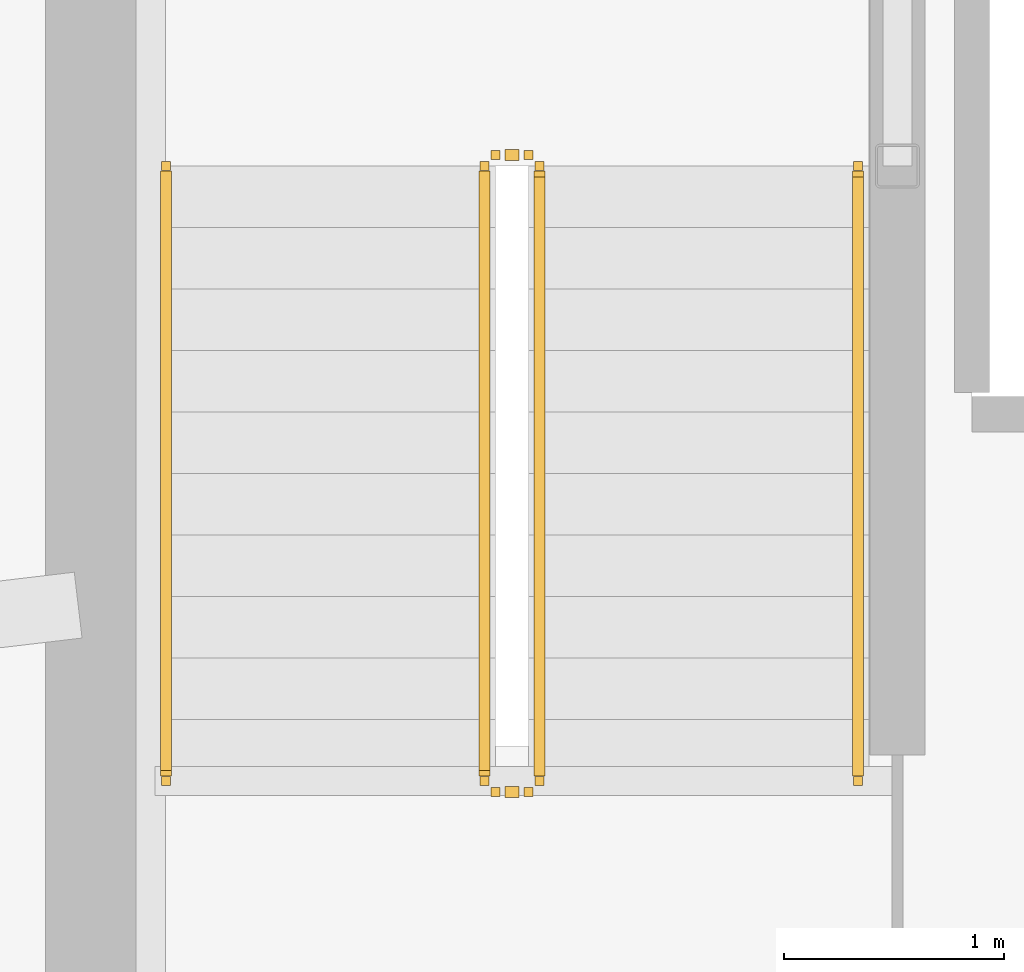
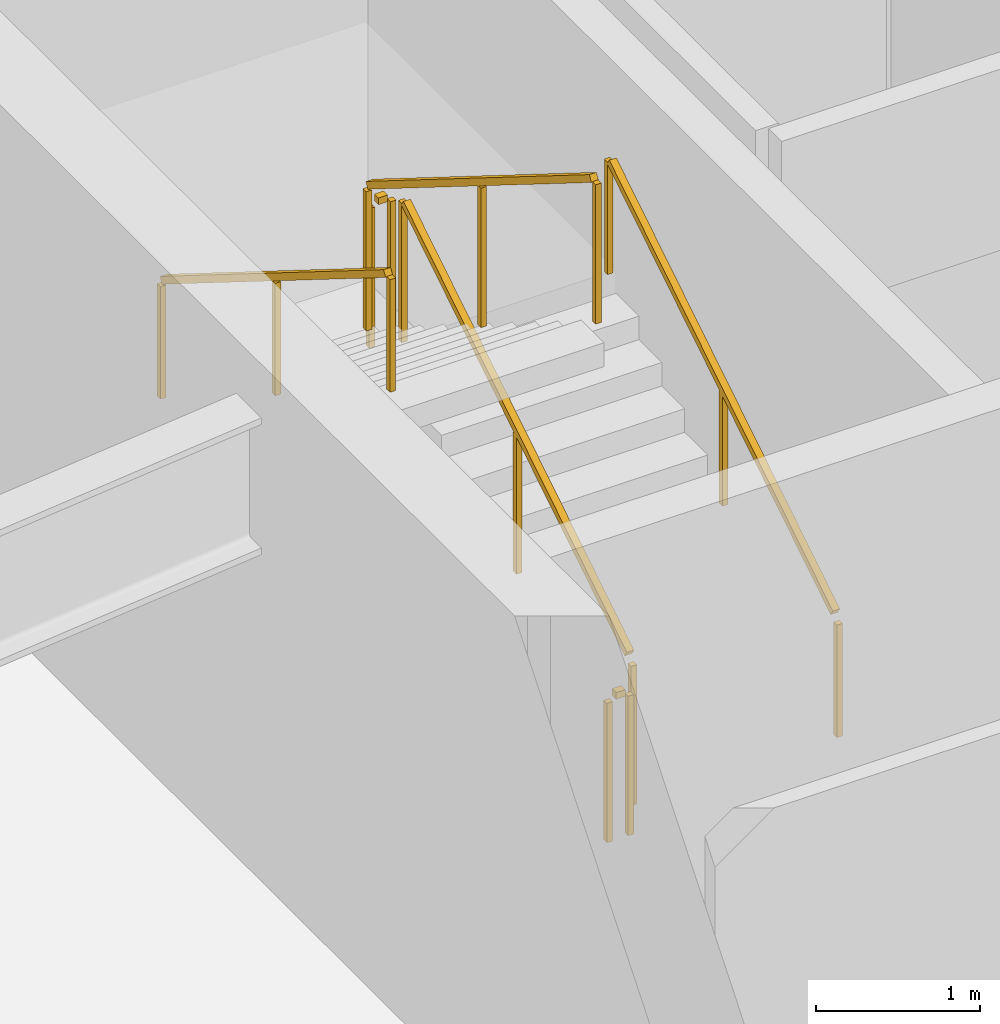
# One storey, part 21 of 24: 6 railings.
"""IFC4 building model written with IfcOpenShell, lengths in metres."""

import ifcopenshell
import ifcopenshell.guid

model = None  # the IFC model being written
_history = None  # IfcOwnerHistory: only IFC2X3 demands one
_inside = {}  # id of a spatial element -> (the spatial element, [elements in it])
_under = {}  # id of a project, library or spatial element -> (it, [spatial elements below it])
_declared = {}  # id of a project -> (the project, [libraries it declares])
_typed = {}  # id of a type object -> (the type object, [elements of that type])
_made_of = {}  # id of a material, layer set ... -> (it, [elements and type objects made of it])


def new_model(schema):
    """Start an empty IFC model of exactly this schema.

    Asked for "IFC4X3", IfcOpenShell would pick the latest addendum, in which some entities
    have other attributes; the version numbers below select the first issue.
    IFC2X3 requires an IfcOwnerHistory on every rooted entity: one is made here for all.
    """
    global model, _history
    if schema == "IFC4X3":
        model = ifcopenshell.file(schema_version=(4, 3, 0, 0))
    else:
        model = ifcopenshell.file(schema=schema)
    _inside.clear()
    _under.clear()
    _declared.clear()
    _typed.clear()
    _made_of.clear()
    _history = None
    if model.schema == "IFC2X3":
        org = make("IfcOrganization", Name="unknown")
        user = make(
            "IfcPersonAndOrganization",
            ThePerson=make("IfcPerson", FamilyName="unknown"),
            TheOrganization=org,
        )
        app = make(
            "IfcApplication",
            ApplicationDeveloper=org,
            Version="unknown",
            ApplicationFullName="unknown",
            ApplicationIdentifier="unknown",
        )
        _history = make(
            "IfcOwnerHistory",
            OwningUser=user,
            OwningApplication=app,
            ChangeAction="ADDED",
            CreationDate=0,
        )
    return model


def make(cls, **values):
    """One entity of the class cls with the attributes given. An attribute that is None is left unset."""
    return model.create_entity(
        cls, **{name: value for name, value in values.items() if value is not None}
    )


def rooted(cls, **values):
    """An entity with a GlobalId (a new one), such as an element, a storey or a relation."""
    return make(cls, GlobalId=ifcopenshell.guid.new(), OwnerHistory=_history, **values)


def si_unit(unit_type, name, prefix=None):
    """IfcSIUnit, for example si_unit("LENGTHUNIT", "METRE", prefix="MILLI")."""
    return make("IfcSIUnit", UnitType=unit_type, Prefix=prefix, Name=name)


def assignment(units):
    """IfcUnitAssignment: the units of a project."""
    return None if units is None else make("IfcUnitAssignment", Units=units)


def point(xyz):
    """IfcCartesianPoint."""
    return None if xyz is None else make("IfcCartesianPoint", Coordinates=xyz)


def direction(xyz):
    """IfcDirection."""
    return None if xyz is None else make("IfcDirection", DirectionRatios=xyz)


def frame(location, z_axis=None, x_axis=None):
    """IfcAxis2Placement3D, a coordinate frame: its origin and axes. An axis left out is left unset."""
    return make(
        "IfcAxis2Placement3D",
        Location=point(location),
        Axis=direction(z_axis),
        RefDirection=direction(x_axis),
    )


def frame_2d(location, x_axis=None):
    """IfcAxis2Placement2D, a coordinate frame in the plane: its origin and x axis."""
    return make(
        "IfcAxis2Placement2D", Location=point(location), RefDirection=direction(x_axis)
    )


def origin():
    """The frame at (0, 0, 0) with its axes left unset."""
    return frame((0.0, 0.0, 0.0))


def origin_2d():
    """The frame at (0, 0) in the plane with its x axis left unset."""
    return frame_2d((0.0, 0.0))


def place(relative_to, where):
    """IfcLocalPlacement: puts the frame where relative to a parent placement (None: the world)."""
    return make(
        "IfcLocalPlacement", PlacementRelTo=relative_to, RelativePlacement=where
    )


def context(
    kind, dimensions, precision=None, world=None, true_north=None, identifier=None
):
    """IfcGeometricRepresentationContext, for example the 3D "Model" context."""
    return make(
        "IfcGeometricRepresentationContext",
        ContextIdentifier=identifier,
        ContextType=kind,
        CoordinateSpaceDimension=dimensions,
        Precision=precision,
        WorldCoordinateSystem=world,
        TrueNorth=true_north,
    )


def subcontext(parent, identifier, kind, view, scale=None):
    """IfcGeometricRepresentationSubContext, for example "Body" below "Model"."""
    return make(
        "IfcGeometricRepresentationSubContext",
        ContextIdentifier=identifier,
        ContextType=kind,
        ParentContext=parent,
        TargetScale=scale,
        TargetView=view,
    )


def project(units=None, contexts=None):
    """IfcProject with its units and contexts."""
    return rooted(
        "IfcProject",
        Name="project",
        RepresentationContexts=contexts,
        UnitsInContext=assignment(units),
    )


def spatial(cls, under=None, at=None, **own):
    """A site, building, storey or space (cls), placed at a placement, below another one or the project."""
    s = rooted(cls, ObjectPlacement=at, **own)
    if under is not None:
        _under.setdefault(under.id(), (under, []))[1].append(s)
    return s


def profile(cls, at=None, kind="AREA", **sizes):
    """A parametric profile (cls). Its sizes go by their IFC names, for example OverallWidth=200.0."""
    return make(cls, ProfileType=kind, Position=at, **sizes)


def rectangle(**sizes):
    """IfcRectangleProfileDef."""
    return profile("IfcRectangleProfileDef", **sizes)


def extrude(swept, where, along, depth):
    """IfcExtrudedAreaSolid: the profile swept, set in the frame where, extruded along a direction by depth."""
    return make(
        "IfcExtrudedAreaSolid",
        SweptArea=swept,
        Position=where,
        ExtrudedDirection=direction(along),
        Depth=depth,
    )


def shape(context_of_items, identifier, shape_type, items):
    """IfcShapeRepresentation: the items that make up one representation, for example the "Body"."""
    return make(
        "IfcShapeRepresentation",
        ContextOfItems=context_of_items,
        RepresentationIdentifier=identifier,
        RepresentationType=shape_type,
        Items=items,
    )


def material(Name=None, Category=None):
    """IfcMaterial."""
    return make("IfcMaterial", Name=Name, Category=Category)


def made_of(thing, what):
    """Note that an element or type object is made of a material, layer set ...; save() writes the relation."""
    if what is not None:
        _made_of.setdefault(what.id(), (what, []))[1].append(thing)
    return thing


def type_object(cls, material=None, **own):
    """A type object (cls), such as IfcWallType, which elements share."""
    return made_of(rooted(cls, **own), material)


def element(
    cls,
    number,
    at=None,
    inside=None,
    cuts=None,
    type_object=None,
    material=None,
    context=None,
    identifier="Body",
    shape_type=None,
    held_by="IfcProductDefinitionShape",
    body=None,
    shapes=None,
    **own,
):
    """One element of the class cls, such as IfcWall. Its Tag is "e" and its number.

    at: its placement. inside: the storey or other place that contains it. cuts: it is an
    opening in that element (IfcRelVoidsElement). A single representation is given by context,
    identifier, shape_type and body (its items); several are given by shapes. held_by: the class
    of the entity that holds the representations. save() writes the other relations.
    """
    e = rooted(cls, Tag="e%d" % number, ObjectPlacement=at, **own)
    if body is not None:
        shapes = [shape(context, identifier, shape_type, body)]
    if shapes is not None:
        e.Representation = make(held_by, Representations=shapes)
    if inside is not None:
        _inside.setdefault(inside.id(), (inside, []))[1].append(e)
    if cuts is not None:
        rooted(
            "IfcRelVoidsElement", RelatingBuildingElement=cuts, RelatedOpeningElement=e
        )
    if type_object is not None:
        _typed.setdefault(type_object.id(), (type_object, []))[1].append(e)
    return made_of(e, material)


def aggregate(whole, parts):
    """IfcRelAggregates: a whole, such as a stair, and the parts it consists of."""
    return rooted("IfcRelAggregates", RelatingObject=whole, RelatedObjects=parts)


def save(model, path):
    """Write the relations noted so far, then the file.

    IfcRelAggregates (storeys below a building ...), IfcRelContainedInSpatialStructure (elements
    in a storey), IfcRelDefinesByType, IfcRelAssociatesMaterial and IfcRelDeclares: one each for
    every whole, place, type object, material and project.
    """
    for whole, parts in _under.values():
        aggregate(whole, parts)
    for where, things in _inside.values():
        rooted(
            "IfcRelContainedInSpatialStructure",
            RelatedElements=things,
            RelatingStructure=where,
        )
    for kind, things in _typed.values():
        rooted("IfcRelDefinesByType", RelatedObjects=things, RelatingType=kind)
    for what, things in _made_of.values():
        rooted("IfcRelAssociatesMaterial", RelatedObjects=things, RelatingMaterial=what)
    for by, libraries in _declared.values():
        rooted("IfcRelDeclares", RelatingContext=by, RelatedDefinitions=libraries)
    model.write(path)


model = new_model("IFC4")

# Units and contexts
model_context = context("Model", 3, precision=1e-05, world=origin(), true_north=direction((0.0, 1.0)))
body_context = subcontext(model_context, "Body", "Model", "MODEL_VIEW")
ifc_project = project(units=[si_unit("LENGTHUNIT", "METRE"), si_unit("AREAUNIT", "SQUARE_METRE"), si_unit("VOLUMEUNIT", "CUBIC_METRE"), si_unit("PLANEANGLEUNIT", "RADIAN"), si_unit("MASSUNIT", "GRAM", prefix="KILO")], contexts=[model_context])

# Site, building, storey
site_placement = place(None, origin())
site = spatial("IfcSite", under=ifc_project, at=site_placement, CompositionType="ELEMENT")
building_placement = place(site_placement, origin())
building = spatial("IfcBuilding", under=site, at=building_placement, Name="Kazma Halo Residences", CompositionType="ELEMENT")
storey_placement = place(building_placement, frame((0.0, 0.0, 309.85009765625)))
storey = spatial("IfcBuildingStorey", under=building, at=storey_placement, Name="L78", CompositionType="ELEMENT", Elevation=309.85009765625)

# Railings
ifc_material_1 = material(Name="Painted Steel S355", Category="steel")
railing_type_1 = type_object("IfcRailingType", Name="RLG-STAIR-GRD-1100", PredefinedType="GUARDRAIL", material=ifc_material_1)
railing_1_placement = place(storey_placement, frame((39.550048828125, 39.949951171875, 0.1748046875)))
element("IfcRailing", 1, at=railing_1_placement, inside=storey, type_object=railing_type_1, Name="L78 ST-01 stair guard 1", PredefinedType="GUARDRAIL", context=body_context, shape_type="SweptSolid", body=[
    extrude(rectangle(XDim=0.050048828125, YDim=0.050048828125, at=origin_2d()), frame((0.0, 0.0361328125, 1.09765625), z_axis=(0.0, 0.848002457836, 0.529992293815), x_axis=(-1.0, 0.0, 0.0)), (0.0, 0.0, 1.0), 3.216796875),
    extrude(rectangle(XDim=0.0400390625, YDim=0.0400390625, at=origin_2d()), origin(), (0.0, 0.0, 1.0), 1.0380859375),
    extrude(rectangle(XDim=0.0400390625, YDim=0.0400390625, at=origin_2d()), frame((0.0, 1.39990234375, 0.875)), (0.0, 0.0, 1.0), 1.0380859375),
    extrude(rectangle(XDim=0.0400390625, YDim=0.0400390625, at=origin_2d()), frame((0.0, 2.800048828125, 1.75)), (0.0, 0.0, 1.0), 1.0380859375),
])
railing_2_placement = place(storey_placement, frame((39.5, 42.800048828125, 1.9248046875)))
element("IfcRailing", 2, at=railing_2_placement, inside=storey, type_object=railing_type_1, Name="L78 ST-01 stair guard 2", PredefinedType="GUARDRAIL", context=body_context, shape_type="SweptSolid", body=[
    extrude(rectangle(XDim=0.050048828125, YDim=0.050048828125, at=origin_2d()), frame((-0.04248046875, 0.0, 1.0751953125), z_axis=(-1.0, 0.0, 0.0), x_axis=(0.0, -1.0, 0.0)), (0.0, 0.0, 1.0), 0.06494140625),
    extrude(rectangle(XDim=0.0400390625, YDim=0.0400390625, at=origin_2d()), origin(), (0.0, 0.0, 1.0), 1.0380859375),
    extrude(rectangle(XDim=0.0400390625, YDim=0.0400390625, at=origin_2d()), frame((-0.14990234375, 0.0, 0.0)), (0.0, 0.0, 1.0), 1.0380859375),
])
railing_3_placement = place(storey_placement, frame((39.300048828125, 42.75, 2.099853515625)))
element("IfcRailing", 3, at=railing_3_placement, inside=storey, type_object=railing_type_1, Name="L78 ST-01 stair guard 3", PredefinedType="GUARDRAIL", context=body_context, shape_type="SweptSolid", body=[
    extrude(rectangle(XDim=0.050048828125, YDim=0.050048828125, at=origin_2d()), frame((0.0, -0.0361328125, 1.09765625), z_axis=(0.0, -0.848002457836, 0.529992293815), x_axis=(1.0, 0.0, 0.0)), (0.0, 0.0, 1.0), 3.216796875),
    extrude(rectangle(XDim=0.0400390625, YDim=0.0400390625, at=origin_2d()), origin(), (0.0, 0.0, 1.0), 1.0380859375),
    extrude(rectangle(XDim=0.0400390625, YDim=0.0400390625, at=origin_2d()), frame((0.0, -1.39990234375, 0.875)), (0.0, 0.0, 1.0), 1.0380859375),
    extrude(rectangle(XDim=0.0400390625, YDim=0.0400390625, at=origin_2d()), frame((0.0, -2.800048828125, 1.75)), (0.0, 0.0, 1.0), 1.0380859375),
])
railing_4_placement = place(storey_placement, frame((39.5, 39.89990234375, 0.0)))
element("IfcRailing", 4, at=railing_4_placement, inside=storey, type_object=railing_type_1, Name="L78 ST-01 stair guard 4", PredefinedType="GUARDRAIL", context=body_context, shape_type="SweptSolid", body=[
    extrude(rectangle(XDim=0.050048828125, YDim=0.050048828125, at=origin_2d()), frame((-0.04248046875, 0.0, 1.0751953125), z_axis=(-1.0, 0.0, 0.0), x_axis=(0.0, -1.0, 0.0)), (0.0, 0.0, 1.0), 0.06494140625),
    extrude(rectangle(XDim=0.0400390625, YDim=0.0400390625, at=origin_2d()), origin(), (0.0, 0.0, 1.0), 1.0380859375),
    extrude(rectangle(XDim=0.0400390625, YDim=0.0400390625, at=origin_2d()), frame((-0.14990234375, 0.0, 0.0)), (0.0, 0.0, 1.0), 1.0380859375),
])
ifc_material_2 = material(Name="Brushed Stainless Steel", Category="steel")
railing_type_2 = type_object("IfcRailingType", Name="RLG-STAIR-HND-900", PredefinedType="HANDRAIL", material=ifc_material_2)
railing_5_placement = place(storey_placement, frame((41.0, 39.949951171875, 0.1748046875)))
element("IfcRailing", 5, at=railing_5_placement, inside=storey, type_object=railing_type_2, Name="L78 ST-01 stair handrail 1", PredefinedType="HANDRAIL", context=body_context, shape_type="SweptSolid", body=[
    extrude(rectangle(XDim=0.050048828125, YDim=0.050048828125, at=origin_2d()), frame((0.0, 0.0361328125, 0.8974609375), z_axis=(0.0, 0.848002457836, 0.529992293815), x_axis=(-1.0, 0.0, 0.0)), (0.0, 0.0, 1.0), 3.216796875),
    extrude(rectangle(XDim=0.0400390625, YDim=0.0400390625, at=origin_2d()), origin(), (0.0, 0.0, 1.0), 0.837890625),
    extrude(rectangle(XDim=0.0400390625, YDim=0.0400390625, at=origin_2d()), frame((0.0, 1.39990234375, 0.875)), (0.0, 0.0, 1.0), 0.837890625),
    extrude(rectangle(XDim=0.0400390625, YDim=0.0400390625, at=origin_2d()), frame((0.0, 2.800048828125, 1.75)), (0.0, 0.0, 1.0), 0.837890625),
])
railing_6_placement = place(storey_placement, frame((37.85009765625, 42.75, 2.099853515625)))
element("IfcRailing", 6, at=railing_6_placement, inside=storey, type_object=railing_type_2, Name="L78 ST-01 stair handrail 2", PredefinedType="HANDRAIL", context=body_context, shape_type="SweptSolid", body=[
    extrude(rectangle(XDim=0.050048828125, YDim=0.050048828125, at=origin_2d()), frame((0.0, -0.0361328125, 0.8974609375), z_axis=(0.0, -0.848002457836, 0.529992293815), x_axis=(1.0, 0.0, 0.0)), (0.0, 0.0, 1.0), 3.216796875),
    extrude(rectangle(XDim=0.0400390625, YDim=0.0400390625, at=origin_2d()), origin(), (0.0, 0.0, 1.0), 0.837890625),
    extrude(rectangle(XDim=0.0400390625, YDim=0.0400390625, at=origin_2d()), frame((0.0, -1.39990234375, 0.875)), (0.0, 0.0, 1.0), 0.837890625),
    extrude(rectangle(XDim=0.0400390625, YDim=0.0400390625, at=origin_2d()), frame((0.0, -2.800048828125, 1.75)), (0.0, 0.0, 1.0), 0.837890625),
])

save(model, "model.ifc")
